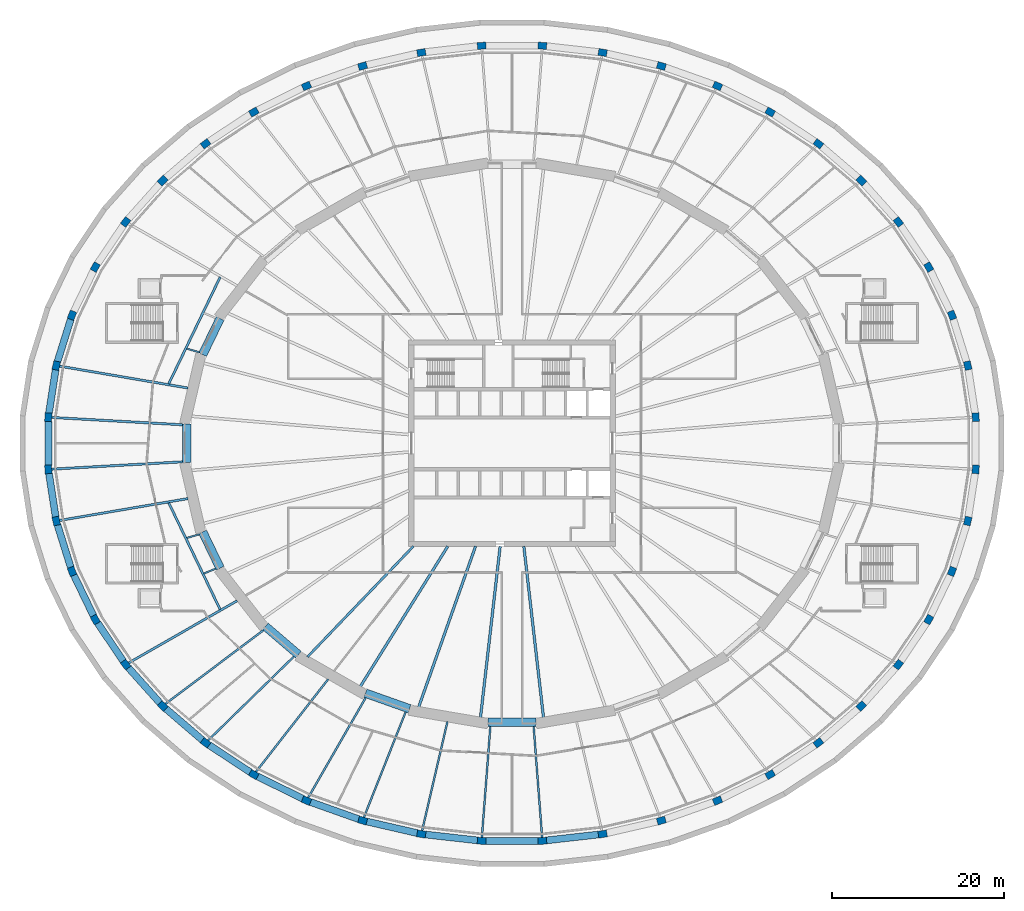
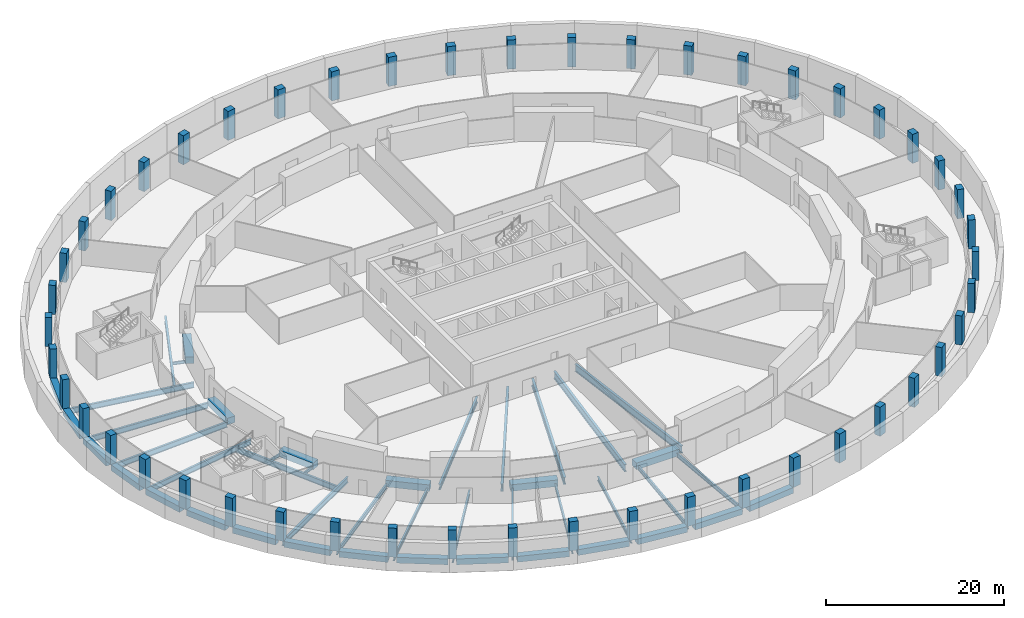
# One storey, part 1 of 14: 48 columns, 45 beams.
"""IFC4 building model written with IfcOpenShell, lengths in metres."""

from ifc_helpers import new_model, si_unit, direction, frame, origin, origin_2d, place, context, subcontext, project, spatial, rectangle, i_section, extrude, material, material_profile, profile_set, type_object, element, save


model = new_model("IFC4")

# Units and contexts
model_context = context("Model", 3, precision=1e-05, world=origin(), true_north=direction((0.0, 1.0)))
body_context = subcontext(model_context, "Body", "Model", "MODEL_VIEW")
ifc_project = project(units=[si_unit("LENGTHUNIT", "METRE"), si_unit("AREAUNIT", "SQUARE_METRE"), si_unit("VOLUMEUNIT", "CUBIC_METRE"), si_unit("PLANEANGLEUNIT", "RADIAN"), si_unit("MASSUNIT", "GRAM", prefix="KILO")], contexts=[model_context])

# Site, building, storey
site_placement = place(None, origin())
site = spatial("IfcSite", under=ifc_project, at=site_placement, CompositionType="ELEMENT")
building_placement = place(site_placement, origin())
building = spatial("IfcBuilding", under=site, at=building_placement, Name="Halqa Exchange Tower", CompositionType="ELEMENT")
storey_placement = place(building_placement, frame((0.0, 0.0, -4.0)))
storey = spatial("IfcBuildingStorey", under=building, at=storey_placement, Name="B1", CompositionType="ELEMENT", Elevation=-4.0)

# Columns
ifc_material_1 = material(Name="Concrete C60/75", Category="concrete")
ifc_material_profile_1 = material_profile(ifc_material_1, rectangle(XDim=1.0, YDim=0.800048828125, at=origin_2d()), Name="1000 x 800")
ifc_profile_set_1 = profile_set([ifc_material_profile_1], Name="Concrete C60/75")
column_type = type_object("IfcColumnType", Name="RC podium ring column 1000 x 800 C60/75", PredefinedType="COLUMN", material=ifc_profile_set_1)
for number, where, z_axis, x_axis, name in (
    (1, (53.884521484375, 3.0283203125, 0.0), (0.0, 0.0, 1.0), (-0.076223065836, 0.997090790367, 0.0), "Podium ring column 1"),
    (2, (52.96240234375, 9.03271484375, 0.0), (0.0, 0.0, 1.0), (-0.22599679145, 0.974128046129, 0.0), "Podium ring column 2"),
    (3, (51.13427734375, 14.882568359375, 0.0), (0.0, 0.0, 1.0), (-0.368109947744, 0.92978226826, 0.0), "Podium ring column 3"),
    (4, (48.43115234375, 20.47802734375, 0.0), (0.0, 0.0, 1.0), (-0.498569440634, 0.866849763723, 0.0), "Podium ring column 4"),
    (5, (44.8994140625, 25.722900390625, 0.0), (0.0, 0.0, 1.0), (-0.614691396063, 0.788767701929, 0.0), "Podium ring column 5"),
    (6, (40.599365234375, 30.527587890625, 0.0), (0.0, 0.0, 1.0), (-0.715039055588, 0.699084507755, 0.0), "Podium ring column 6"),
    (7, (35.604736328125, 34.810302734375, 0.0), (0.0, 0.0, 1.0), (-0.799260046694, 0.600985339055, 0.0), "Podium ring column 7"),
    (8, (30.000732421875, 38.4970703125, 0.0), (0.0, 0.0, 1.0), (-0.867693451459, 0.497099662336, 0.0), "Podium ring column 8"),
    (9, (23.883544921875, 41.525146484375, 0.0), (0.0, 0.0, 1.0), (-0.921048160137, 0.389448695861, 0.0), "Podium ring column 9"),
    (10, (17.357666015625, 43.843017578125, 0.0), (0.0, 0.0, 1.0), (-0.960157717988, 0.27945868494, 0.0), "Podium ring column 10"),
    (11, (10.534912109375, 45.410400390625, 0.0), (0.0, 0.0, 1.0), (-0.985766331194, 0.168121207122, 0.0), "Podium ring column 11"),
    (12, (3.53173828125, 46.200927734375, 0.0), (0.0, 0.0, 1.0), (-0.998424745269, 0.056107290394, 0.0), "Podium ring column 12"),
    (13, (-3.53173828125, 46.200927734375, 0.0), (0.0, 0.0, 1.0), (-0.998424745269, -0.056107290394, 0.0), "Podium ring column 13"),
    (14, (-10.534912109375, 45.410400390625, 0.0), (0.0, 0.0, 1.0), (-0.985766331194, -0.168121207122, 0.0), "Podium ring column 14"),
    (15, (-17.357666015625, 43.843017578125, 0.0), (0.0, 0.0, 1.0), (-0.960157717988, -0.27945868494, 0.0), "Podium ring column 15"),
    (16, (-23.883544921875, 41.525146484375, 0.0), (0.0, 0.0, 1.0), (-0.921048160137, -0.389448695861, 0.0), "Podium ring column 16"),
    (17, (-30.000732421875, 38.4970703125, 0.0), (0.0, 0.0, 1.0), (-0.867693451459, -0.497099662336, 0.0), "Podium ring column 17"),
    (18, (-35.604736328125, 34.810302734375, 0.0), (0.0, 0.0, 1.0), (-0.799260046694, -0.600985339055, 0.0), "Podium ring column 18"),
    (19, (-40.599365234375, 30.527587890625, 0.0), (0.0, 0.0, 1.0), (-0.715039055588, -0.699084507755, 0.0), "Podium ring column 19"),
    (20, (-44.8994140625, 25.722900390625, 0.0), (0.0, 0.0, 1.0), (-0.614691396063, -0.788767701929, 0.0), "Podium ring column 20"),
    (21, (-48.43115234375, 20.47802734375, 0.0), (0.0, 0.0, 1.0), (-0.498569440634, -0.866849763723, 0.0), "Podium ring column 21"),
    (22, (-51.13427734375, 14.882568359375, 0.0), (0.0, 0.0, 1.0), (-0.368109947744, -0.92978226826, 0.0), "Podium ring column 22"),
    (23, (-52.96240234375, 9.03271484375, 0.0), (0.0, 0.0, 1.0), (-0.22599679145, -0.974128046129, 0.0), "Podium ring column 23"),
    (24, (-53.884521484375, 3.0283203125, 0.0), (0.0, 0.0, 1.0), (-0.076223065836, -0.997090790367, 0.0), "Podium ring column 24"),
    (25, (-53.884521484375, -3.0283203125, 0.0), (0.0, 0.0, 1.0), (0.076223065836, -0.997090790367, 0.0), "Podium ring column 25"),
    (26, (-52.96240234375, -9.03271484375, 0.0), (0.0, 0.0, 1.0), (0.22599679145, -0.974128046129, 0.0), "Podium ring column 26"),
    (27, (-51.13427734375, -14.882568359375, 0.0), (0.0, 0.0, 1.0), (0.368109947744, -0.92978226826, 0.0), "Podium ring column 27"),
    (28, (-48.43115234375, -20.47802734375, 0.0), (0.0, 0.0, 1.0), (0.498569440634, -0.866849763723, 0.0), "Podium ring column 28"),
    (29, (-44.8994140625, -25.722900390625, 0.0), (0.0, 0.0, 1.0), (0.614691396063, -0.788767701929, 0.0), "Podium ring column 29"),
    (30, (-40.599365234375, -30.527587890625, 0.0), (0.0, 0.0, 1.0), (0.715039055588, -0.699084507755, 0.0), "Podium ring column 30"),
    (31, (-35.604736328125, -34.810302734375, 0.0), (0.0, 0.0, 1.0), (0.799260046694, -0.600985339055, 0.0), "Podium ring column 31"),
    (32, (-30.000732421875, -38.4970703125, 0.0), (0.0, 0.0, 1.0), (0.867693451459, -0.497099662336, 0.0), "Podium ring column 32"),
    (33, (-23.883544921875, -41.525146484375, 0.0), (0.0, 0.0, 1.0), (0.921048160137, -0.389448695861, 0.0), "Podium ring column 33"),
    (34, (-17.357666015625, -43.843017578125, 0.0), (0.0, 0.0, 1.0), (0.960157717988, -0.27945868494, 0.0), "Podium ring column 34"),
    (35, (-10.534912109375, -45.410400390625, 0.0), (0.0, 0.0, 1.0), (0.985766331194, -0.168121207122, 0.0), "Podium ring column 35"),
    (36, (-3.53173828125, -46.200927734375, 0.0), (0.0, 0.0, 1.0), (0.998424745269, -0.056107290394, 0.0), "Podium ring column 36"),
    (37, (3.53173828125, -46.200927734375, 0.0), (0.0, 0.0, 1.0), (0.998424745269, 0.056107290394, 0.0), "Podium ring column 37"),
    (38, (10.534912109375, -45.410400390625, 0.0), (0.0, 0.0, 1.0), (0.985766331194, 0.168121207122, 0.0), "Podium ring column 38"),
    (39, (17.357666015625, -43.843017578125, 0.0), (0.0, 0.0, 1.0), (0.960157717988, 0.27945868494, 0.0), "Podium ring column 39"),
    (40, (23.883544921875, -41.525146484375, 0.0), (0.0, 0.0, 1.0), (0.921048160137, 0.389448695861, 0.0), "Podium ring column 40"),
    (41, (30.000732421875, -38.4970703125, 0.0), (0.0, 0.0, 1.0), (0.867693451459, 0.497099662336, 0.0), "Podium ring column 41"),
    (42, (35.604736328125, -34.810302734375, 0.0), (0.0, 0.0, 1.0), (0.799260046694, 0.600985339055, 0.0), "Podium ring column 42"),
    (43, (40.599365234375, -30.527587890625, 0.0), (0.0, 0.0, 1.0), (0.715039055588, 0.699084507755, 0.0), "Podium ring column 43"),
    (44, (44.8994140625, -25.722900390625, 0.0), (0.0, 0.0, 1.0), (0.614691396063, 0.788767701929, 0.0), "Podium ring column 44"),
    (45, (48.43115234375, -20.47802734375, 0.0), (0.0, 0.0, 1.0), (0.498569440634, 0.866849763723, 0.0), "Podium ring column 45"),
    (46, (51.13427734375, -14.882568359375, 0.0), (0.0, 0.0, 1.0), (0.368109947744, 0.92978226826, 0.0), "Podium ring column 46"),
    (47, (52.96240234375, -9.03271484375, 0.0), (0.0, 0.0, 1.0), (0.22599679145, 0.974128046129, 0.0), "Podium ring column 47"),
    (48, (53.884521484375, -3.0283203125, 0.0), (0.0, 0.0, 1.0), (0.076223065836, 0.997090790367, 0.0), "Podium ring column 48"),
):
    element("IfcColumn", number, at=place(storey_placement, frame(where, z_axis=z_axis, x_axis=x_axis)), inside=storey, type_object=column_type, Name=name, PredefinedType="COLUMN", context=body_context, shape_type="SweptSolid", body=[
        extrude(rectangle(XDim=1.0, YDim=0.800048828125, at=origin_2d()), origin(), (0.0, 0.0, 1.0), 4.0),
    ])

# Beams
ifc_material_2 = material(Name="Steel S355", Category="steel")
ifc_material_profile_2 = material_profile(ifc_material_2, i_section(OverallWidth=0.300048828125, OverallDepth=0.989990234375, WebThickness=0.0166015625, FlangeThickness=0.031005859375, FilletRadius=0.030029296875, at=origin_2d()), Name="HEA 1000")
ifc_profile_set_2 = profile_set([ifc_material_profile_2], Name="Steel S355")
beam_type_1 = type_object("IfcBeamType", Name="Floor beam HEA 1000", PredefinedType="BEAM", material=ifc_profile_set_2)
beam_1_placement = place(storey_placement, frame((-7.46533203125, -11.971435546875, -0.945068359375), z_axis=(-0.529145823441, -0.848530905468, 0.0), x_axis=(0.848530905468, -0.529145823441, 0.0)))
element("IfcBeam", 49, at=beam_1_placement, inside=storey, type_object=beam_type_1, Name="Radial beam 22", PredefinedType="BEAM", context=body_context, shape_type="SweptSolid", body=[
    extrude(i_section(OverallWidth=0.300048828125, OverallDepth=0.989990234375, WebThickness=0.0166015625, FlangeThickness=0.031005859375, FilletRadius=0.030029296875, at=origin_2d()), origin(), (0.0, 0.0, 1.0), 19.27294921875),
])
ifc_material_profile_3 = material_profile(ifc_material_2, i_section(OverallWidth=0.300048828125, OverallDepth=1.0, WebThickness=0.01904296875, FlangeThickness=0.035888671875, FilletRadius=0.030029296875, at=origin_2d()), Name="HEB 1000")
ifc_profile_set_3 = profile_set([ifc_material_profile_3], Name="Steel S355")
beam_type_2 = type_object("IfcBeamType", Name="Floor beam HEB 1000", PredefinedType="BEAM", material=ifc_profile_set_3)
beam_2_placement = place(storey_placement, frame((-4.23681640625, -11.971923828125, -0.949951171875), z_axis=(-0.333633039334, -0.942703025913, 0.0), x_axis=(0.942703025913, -0.333633039334, 0.0)))
element("IfcBeam", 50, at=beam_2_placement, inside=storey, type_object=beam_type_2, Name="Radial beam 23", PredefinedType="BEAM", context=body_context, shape_type="SweptSolid", body=[
    extrude(i_section(OverallWidth=0.300048828125, OverallDepth=1.0, WebThickness=0.01904296875, FlangeThickness=0.035888671875, FilletRadius=0.030029296875, at=origin_2d()), origin(), (0.0, 0.0, 1.0), 19.885009765625),
])
for number, where, z_axis, x_axis, name in (
    (51, (-1.375732421875, -11.972900390625, -0.949951171875), (-0.114166838833, -0.99346159106, 0.0), (0.99346159106, -0.114166838833, 0.0), "Radial beam 24"),
    (52, (1.375732421875, -11.972900390625, -0.949951171875), (0.114166838833, -0.99346159106, 0.0), (0.99346159106, 0.114166838833, 0.0), "Radial beam 25"),
):
    element("IfcBeam", number, at=place(storey_placement, frame(where, z_axis=z_axis, x_axis=x_axis)), inside=storey, type_object=beam_type_2, Name=name, PredefinedType="BEAM", context=body_context, shape_type="SweptSolid", body=[
        extrude(i_section(OverallWidth=0.300048828125, OverallDepth=1.0, WebThickness=0.01904296875, FlangeThickness=0.035888671875, FilletRadius=0.030029296875, at=origin_2d()), origin(), (0.0, 0.0, 1.0), 20.103515625),
    ])
ifc_material_profile_4 = material_profile(ifc_material_2, i_section(OverallWidth=0.179931640625, OverallDepth=0.39990234375, WebThickness=0.008544921875, FlangeThickness=0.013427734375, FilletRadius=0.02099609375, at=origin_2d()), Name="IPE 400")
ifc_profile_set_4 = profile_set([ifc_material_profile_4], Name="Steel S355")
beam_type_3 = type_object("IfcBeamType", Name="Floor beam IPE 400", PredefinedType="BEAM", material=ifc_profile_set_4)
for number, where, z_axis, x_axis, name in (
    (53, (-36.34521484375, 10.578369140625, -0.64990234375), (-0.960174163417, 0.279402175917, 0.0), (-0.279402175917, -0.960174163417, 0.0), "Radial beam 22a"),
    (54, (-36.34521484375, -10.578369140625, -0.64990234375), (-0.960174163417, -0.279402175917, 0.0), (0.279402175917, -0.960174163417, 0.0), "Radial beam 27a"),
):
    element("IfcBeam", number, at=place(storey_placement, frame(where, z_axis=z_axis, x_axis=x_axis)), inside=storey, type_object=beam_type_3, Name=name, PredefinedType="BEAM", context=body_context, shape_type="SweptSolid", body=[
        extrude(i_section(OverallWidth=0.179931640625, OverallDepth=0.39990234375, WebThickness=0.008544921875, FlangeThickness=0.013427734375, FilletRadius=0.02099609375, at=origin_2d()), origin(), (0.0, 0.0, 1.0), 1.521240234375),
    ])
beam_3_placement = place(storey_placement, frame((-34.423583984375, -14.555419921875, -0.64990234375), z_axis=(-0.921076708702, -0.389381171459, 0.0), x_axis=(0.389381171459, -0.921076708702, 0.0)))
element("IfcBeam", 55, at=beam_3_placement, inside=storey, type_object=beam_type_3, Name="Radial beam 28a", PredefinedType="BEAM", context=body_context, shape_type="SweptSolid", body=[
    extrude(i_section(OverallWidth=0.179931640625, OverallDepth=0.39990234375, WebThickness=0.008544921875, FlangeThickness=0.013427734375, FilletRadius=0.02099609375, at=origin_2d()), origin(), (0.0, 0.0, 1.0), 1.5078125),
])
ifc_material_profile_5 = material_profile(ifc_material_2, i_section(OverallWidth=0.2099609375, OverallDepth=0.550048828125, WebThickness=0.010986328125, FlangeThickness=0.01708984375, FilletRadius=0.02392578125, at=origin_2d()), Name="IPE 550")
ifc_profile_set_5 = profile_set([ifc_material_profile_5], Name="Steel S355")
beam_type_4 = type_object("IfcBeamType", Name="Floor beam IPE 550", PredefinedType="BEAM", material=ifc_profile_set_5)
beam_4_placement = place(storey_placement, frame((-12.352294921875, -31.2001953125, -0.72509765625), z_axis=(-0.368106640822, -0.929783577497, 0.0), x_axis=(0.929783577497, -0.368106640822, 0.0)))
element("IfcBeam", 56, at=beam_4_placement, inside=storey, type_object=beam_type_4, Name="Radial beam 34", PredefinedType="BEAM", context=body_context, shape_type="SweptSolid", body=[
    extrude(i_section(OverallWidth=0.2099609375, OverallDepth=0.550048828125, WebThickness=0.010986328125, FlangeThickness=0.01708984375, FilletRadius=0.02392578125, at=origin_2d()), origin(), (0.0, 0.0, 1.0), 13.22412109375),
])
beam_5_placement = place(storey_placement, frame((-7.5048828125, -32.35009765625, -0.72509765625), z_axis=(-0.2259960959, -0.974128207495, 0.0), x_axis=(0.974128207495, -0.2259960959, 0.0)))
element("IfcBeam", 57, at=beam_5_placement, inside=storey, type_object=beam_type_4, Name="Radial beam 35", PredefinedType="BEAM", context=body_context, shape_type="SweptSolid", body=[
    extrude(i_section(OverallWidth=0.2099609375, OverallDepth=0.550048828125, WebThickness=0.010986328125, FlangeThickness=0.01708984375, FilletRadius=0.02392578125, at=origin_2d()), origin(), (0.0, 0.0, 1.0), 13.03466796875),
])
for number, where, z_axis, x_axis, name in (
    (58, (-2.513916015625, -32.88623046875, -0.72509765625), (-0.076223337155, -0.997090769626, 0.0), (0.997090769626, -0.076223337155, 0.0), "Radial beam 36"),
    (59, (2.513916015625, -32.88623046875, -0.72509765625), (0.076223337155, -0.997090769626, 0.0), (0.997090769626, 0.076223337155, 0.0), "Radial beam 37"),
):
    element("IfcBeam", number, at=place(storey_placement, frame(where, z_axis=z_axis, x_axis=x_axis)), inside=storey, type_object=beam_type_4, Name=name, PredefinedType="BEAM", context=body_context, shape_type="SweptSolid", body=[
        extrude(i_section(OverallWidth=0.2099609375, OverallDepth=0.550048828125, WebThickness=0.010986328125, FlangeThickness=0.01708984375, FilletRadius=0.02392578125, at=origin_2d()), origin(), (0.0, 0.0, 1.0), 12.981689453125),
    ])
ifc_material_profile_6 = material_profile(ifc_material_2, i_section(OverallWidth=0.219970703125, OverallDepth=0.60009765625, WebThickness=0.011962890625, FlangeThickness=0.01904296875, FilletRadius=0.02392578125, at=origin_2d()), Name="IPE 600")
ifc_profile_set_6 = profile_set([ifc_material_profile_6], Name="Steel S355")
beam_type_5 = type_object("IfcBeamType", Name="Floor beam IPE 600", PredefinedType="BEAM", material=ifc_profile_set_6)
beam_6_placement = place(storey_placement, frame((-28.875732421875, -21.71240234375, -0.75), z_axis=(-0.799257291391, -0.600989003359, 0.0), x_axis=(0.600989003359, -0.799257291391, 0.0)))
element("IfcBeam", 60, at=beam_6_placement, inside=storey, type_object=beam_type_5, Name="Radial beam 30", PredefinedType="BEAM", context=body_context, shape_type="SweptSolid", body=[
    extrude(i_section(OverallWidth=0.219970703125, OverallDepth=0.60009765625, WebThickness=0.011962890625, FlangeThickness=0.01904296875, FilletRadius=0.02392578125, at=origin_2d()), origin(), (0.0, 0.0, 1.0), 14.291259765625),
])
beam_7_placement = place(storey_placement, frame((-25.322265625, -24.757080078125, -0.75), z_axis=(-0.715038042334, -0.699085544133, 0.0), x_axis=(0.699085544133, -0.715038042334, 0.0)))
element("IfcBeam", 61, at=beam_7_placement, inside=storey, type_object=beam_type_5, Name="Radial beam 31", PredefinedType="BEAM", context=body_context, shape_type="SweptSolid", body=[
    extrude(i_section(OverallWidth=0.219970703125, OverallDepth=0.60009765625, WebThickness=0.011962890625, FlangeThickness=0.01904296875, FilletRadius=0.02392578125, at=origin_2d()), origin(), (0.0, 0.0, 1.0), 14.00341796875),
])
beam_8_placement = place(storey_placement, frame((-21.3603515625, -27.40966796875, -0.75), z_axis=(-0.614701342153, -0.78875995078, 0.0), x_axis=(0.78875995078, -0.614701342153, 0.0)))
element("IfcBeam", 62, at=beam_8_placement, inside=storey, type_object=beam_type_5, Name="Radial beam 32", PredefinedType="BEAM", context=body_context, shape_type="SweptSolid", body=[
    extrude(i_section(OverallWidth=0.219970703125, OverallDepth=0.60009765625, WebThickness=0.011962890625, FlangeThickness=0.01904296875, FilletRadius=0.02392578125, at=origin_2d()), origin(), (0.0, 0.0, 1.0), 13.681396484375),
])
beam_9_placement = place(storey_placement, frame((-16.996826171875, -29.551513671875, -0.75), z_axis=(-0.498570786865, -0.866848989435, 0.0), x_axis=(0.866848989435, -0.498570786865, 0.0)))
element("IfcBeam", 63, at=beam_9_placement, inside=storey, type_object=beam_type_5, Name="Radial beam 33", PredefinedType="BEAM", context=body_context, shape_type="SweptSolid", body=[
    extrude(i_section(OverallWidth=0.219970703125, OverallDepth=0.60009765625, WebThickness=0.011962890625, FlangeThickness=0.01904296875, FilletRadius=0.02392578125, at=origin_2d()), origin(), (0.0, 0.0, 1.0), 13.438720703125),
])
ifc_material_profile_7 = material_profile(ifc_material_2, i_section(OverallWidth=0.264892578125, OverallDepth=0.7529296875, WebThickness=0.01318359375, FlangeThickness=0.01708984375, FilletRadius=0.01708984375, at=origin_2d()), Name="IPE 750x147")
ifc_profile_set_7 = profile_set([ifc_material_profile_7], Name="Steel S355")
beam_type_6 = type_object("IfcBeamType", Name="Floor beam IPE 750x147", PredefinedType="BEAM", material=ifc_profile_set_7)
beam_10_placement = place(storey_placement, frame((-37.654296875, 6.421875, -0.826416015625), z_axis=(-0.985764762639, 0.168130403968, 0.0), x_axis=(-0.168130403968, -0.985764762639, 0.0)))
element("IfcBeam", 64, at=beam_10_placement, inside=storey, type_object=beam_type_6, Name="Radial beam 23", PredefinedType="BEAM", context=body_context, shape_type="SweptSolid", body=[
    extrude(i_section(OverallWidth=0.264892578125, OverallDepth=0.7529296875, WebThickness=0.01318359375, FlangeThickness=0.01708984375, FilletRadius=0.01708984375, at=origin_2d()), origin(), (0.0, 0.0, 1.0), 15.156982421875),
])
for number, where, z_axis, x_axis, name in (
    (65, (-38.2880859375, 2.151611328125, -0.826416015625), (-0.998424130563, 0.056118227964, 0.0), (-0.056118227964, -0.998424130563, 0.0), "Radial beam 24"),
    (66, (-38.2880859375, -2.151611328125, -0.826416015625), (-0.998424130563, -0.056118227964, 0.0), (0.056118227964, -0.998424130563, 0.0), "Radial beam 25"),
):
    element("IfcBeam", number, at=place(storey_placement, frame(where, z_axis=z_axis, x_axis=x_axis)), inside=storey, type_object=beam_type_6, Name=name, PredefinedType="BEAM", context=body_context, shape_type="SweptSolid", body=[
        extrude(i_section(OverallWidth=0.264892578125, OverallDepth=0.7529296875, WebThickness=0.01318359375, FlangeThickness=0.01708984375, FilletRadius=0.01708984375, at=origin_2d()), origin(), (0.0, 0.0, 1.0), 15.248291015625),
    ])
beam_11_placement = place(storey_placement, frame((-37.654296875, -6.421875, -0.826416015625), z_axis=(-0.985764762639, -0.168130403968, 0.0), x_axis=(0.168130403968, -0.985764762639, 0.0)))
element("IfcBeam", 67, at=beam_11_placement, inside=storey, type_object=beam_type_6, Name="Radial beam 26", PredefinedType="BEAM", context=body_context, shape_type="SweptSolid", body=[
    extrude(i_section(OverallWidth=0.264892578125, OverallDepth=0.7529296875, WebThickness=0.01318359375, FlangeThickness=0.01708984375, FilletRadius=0.01708984375, at=origin_2d()), origin(), (0.0, 0.0, 1.0), 15.156982421875),
])
beam_12_placement = place(storey_placement, frame((-31.942626953125, -18.300048828125, -0.826416015625), z_axis=(-0.867691436398, -0.497103179633, 0.0), x_axis=(0.497103179633, -0.867691436398, 0.0)))
element("IfcBeam", 68, at=beam_12_placement, inside=storey, type_object=beam_type_6, Name="Radial beam 29", PredefinedType="BEAM", context=body_context, shape_type="SweptSolid", body=[
    extrude(i_section(OverallWidth=0.264892578125, OverallDepth=0.7529296875, WebThickness=0.01318359375, FlangeThickness=0.01708984375, FilletRadius=0.01708984375, at=origin_2d()), origin(), (0.0, 0.0, 1.0), 14.555908203125),
])
for number, where, z_axis, x_axis, name in (
    (69, (-33.92041015625, 19.3134765625, -0.826416015625), (-0.433856142987, -0.900982156978, 0.0), (0.900982156978, -0.433856142987, 0.0), "Radial beam TSS3-in"),
    (70, (-39.89306640625, -6.91015625, -0.826416015625), (0.433856142987, -0.900982156978, 0.0), (0.900982156978, 0.433856142987, 0.0), "Radial beam TSS4-in"),
):
    element("IfcBeam", number, at=place(storey_placement, frame(where, z_axis=z_axis, x_axis=x_axis)), inside=storey, type_object=beam_type_6, Name=name, PredefinedType="BEAM", context=body_context, shape_type="SweptSolid", body=[
        extrude(i_section(OverallWidth=0.264892578125, OverallDepth=0.7529296875, WebThickness=0.01318359375, FlangeThickness=0.01708984375, FilletRadius=0.01708984375, at=origin_2d()), origin(), (0.0, 0.0, 1.0), 13.766357421875),
    ])
ifc_material_profile_8 = material_profile(ifc_material_2, i_section(OverallWidth=0.26806640625, OverallDepth=0.77001953125, WebThickness=0.015625, FlangeThickness=0.025390625, FilletRadius=0.01708984375, at=origin_2d()), Name="IPE 750x196")
ifc_profile_set_8 = profile_set([ifc_material_profile_8], Name="Steel S355")
beam_type_7 = type_object("IfcBeamType", Name="Floor beam IPE 750x196", PredefinedType="BEAM", material=ifc_profile_set_8)
beam_13_placement = place(storey_placement, frame((-11.46240234375, -11.9716796875, -0.8349609375), z_axis=(-0.6915763718, -0.722303344841, 0.0), x_axis=(0.722303344841, -0.6915763718, 0.0)))
element("IfcBeam", 71, at=beam_13_placement, inside=storey, type_object=beam_type_7, Name="Radial beam 21", PredefinedType="BEAM", context=body_context, shape_type="SweptSolid", body=[
    extrude(i_section(OverallWidth=0.26806640625, OverallDepth=0.77001953125, WebThickness=0.015625, FlangeThickness=0.025390625, FilletRadius=0.01708984375, at=origin_2d()), origin(), (0.0, 0.0, 1.0), 17.7978515625),
])
ifc_material_profile_9 = material_profile(ifc_material_1, rectangle(XDim=0.800048828125, YDim=0.800048828125, at=origin_2d()), Name="800 x 800")
ifc_profile_set_9 = profile_set([ifc_material_profile_9], Name="Concrete C60/75")
beam_type_8 = type_object("IfcBeamType", Name="RC podium edge beam 800 x 800 C60/75", PredefinedType="SPANDREL", material=ifc_profile_set_9)
beam_14_placement = place(storey_placement, frame((-51.275390625, 14.430419921875, -0.39990234375), z_axis=(-0.298331338153, -0.954462368392, 0.0), x_axis=(0.954462368392, -0.298331338153, 0.0)))
element("IfcBeam", 72, at=beam_14_placement, inside=storey, type_object=beam_type_8, Name="Podium edge beam 22", PredefinedType="SPANDREL", context=body_context, shape_type="SweptSolid", body=[
    extrude(rectangle(XDim=0.800048828125, YDim=0.800048828125, at=origin_2d()), origin(), (0.0, 0.0, 1.0), 5.180908203125),
])
beam_15_placement = place(storey_placement, frame((-53.0341796875, 8.56591796875, -0.39990234375), z_axis=(-0.151767505705, -0.988416220128, 0.0), x_axis=(0.988416220128, -0.151767505705, 0.0)))
element("IfcBeam", 73, at=beam_15_placement, inside=storey, type_object=beam_type_8, Name="Podium edge beam 23", PredefinedType="SPANDREL", context=body_context, shape_type="SweptSolid", body=[
    extrude(rectangle(XDim=0.800048828125, YDim=0.800048828125, at=origin_2d()), origin(), (0.0, 0.0, 1.0), 5.1298828125),
])
beam_16_placement = place(storey_placement, frame((-53.884521484375, 2.5556640625, -0.39990234375), z_axis=(0.0, -1.0, 0.0), x_axis=(1.0, 0.0, 0.0)))
element("IfcBeam", 74, at=beam_16_placement, inside=storey, type_object=beam_type_8, Name="Podium edge beam 24", PredefinedType="SPANDREL", context=body_context, shape_type="SweptSolid", body=[
    extrude(rectangle(XDim=0.800048828125, YDim=0.800048828125, at=origin_2d()), origin(), (0.0, 0.0, 1.0), 5.111328125),
])
beam_17_placement = place(storey_placement, frame((-53.812744140625, -3.495361328125, -0.39990234375), z_axis=(0.151767505705, -0.988416220128, 0.0), x_axis=(0.988416220128, 0.151767505705, 0.0)))
element("IfcBeam", 75, at=beam_17_placement, inside=storey, type_object=beam_type_8, Name="Podium edge beam 25", PredefinedType="SPANDREL", context=body_context, shape_type="SweptSolid", body=[
    extrude(rectangle(XDim=0.800048828125, YDim=0.800048828125, at=origin_2d()), origin(), (0.0, 0.0, 1.0), 5.1298828125),
])
beam_18_placement = place(storey_placement, frame((-52.821044921875, -9.4853515625, -0.39990234375), z_axis=(0.298331338153, -0.954462368392, 0.0), x_axis=(0.954462368392, 0.298331338153, 0.0)))
element("IfcBeam", 76, at=beam_18_placement, inside=storey, type_object=beam_type_8, Name="Podium edge beam 26", PredefinedType="SPANDREL", context=body_context, shape_type="SweptSolid", body=[
    extrude(rectangle(XDim=0.800048828125, YDim=0.800048828125, at=origin_2d()), origin(), (0.0, 0.0, 1.0), 5.180908203125),
])
beam_19_placement = place(storey_placement, frame((-50.92822265625, -15.308837890625, -0.39990234375), z_axis=(0.43497328232, -0.9004433595, 0.0), x_axis=(0.9004433595, 0.43497328232, 0.0)))
element("IfcBeam", 77, at=beam_19_placement, inside=storey, type_object=beam_type_8, Name="Podium edge beam 27", PredefinedType="SPANDREL", context=body_context, shape_type="SweptSolid", body=[
    extrude(rectangle(XDim=0.800048828125, YDim=0.800048828125, at=origin_2d()), origin(), (0.0, 0.0, 1.0), 5.267578125),
])
beam_20_placement = place(storey_placement, frame((-48.1669921875, -20.8701171875, -0.39990234375), z_axis=(0.558528358221, -0.829485426673, 0.0), x_axis=(0.829485426673, 0.558528358221, 0.0)))
element("IfcBeam", 78, at=beam_20_placement, inside=storey, type_object=beam_type_8, Name="Podium edge beam 28", PredefinedType="SPANDREL", context=body_context, shape_type="SweptSolid", body=[
    extrude(rectangle(XDim=0.800048828125, YDim=0.800048828125, at=origin_2d()), origin(), (0.0, 0.0, 1.0), 5.378173828125),
])
beam_21_placement = place(storey_placement, frame((-44.58349609375, -26.075927734375, -0.39990234375), z_axis=(0.666902525907, -0.745144966392, 0.0), x_axis=(0.745144966392, 0.666902525907, 0.0)))
element("IfcBeam", 79, at=beam_21_placement, inside=storey, type_object=beam_type_8, Name="Podium edge beam 29", PredefinedType="SPANDREL", context=body_context, shape_type="SweptSolid", body=[
    extrude(rectangle(XDim=0.800048828125, YDim=0.800048828125, at=origin_2d()), origin(), (0.0, 0.0, 1.0), 5.501220703125),
])
beam_22_placement = place(storey_placement, frame((-40.240478515625, -30.83544921875, -0.39990234375), z_axis=(0.759174010844, -0.650887717859, 0.0), x_axis=(0.650887717859, 0.759174010844, 0.0)))
element("IfcBeam", 80, at=beam_22_placement, inside=storey, type_object=beam_type_8, Name="Podium edge beam 30", PredefinedType="SPANDREL", context=body_context, shape_type="SweptSolid", body=[
    extrude(rectangle(XDim=0.800048828125, YDim=0.800048828125, at=origin_2d()), origin(), (0.0, 0.0, 1.0), 5.63427734375),
])
beam_23_placement = place(storey_placement, frame((-35.208984375, -35.070556640625, -0.39990234375), z_axis=(0.835418618456, -0.549614166426, 0.0), x_axis=(0.549614166426, 0.835418618456, 0.0)))
element("IfcBeam", 81, at=beam_23_placement, inside=storey, type_object=beam_type_8, Name="Podium edge beam 31", PredefinedType="SPANDREL", context=body_context, shape_type="SweptSolid", body=[
    extrude(rectangle(XDim=0.800048828125, YDim=0.800048828125, at=origin_2d()), origin(), (0.0, 0.0, 1.0), 5.760986328125),
])
beam_24_placement = place(storey_placement, frame((-29.576904296875, -38.706787109375, -0.39990234375), z_axis=(0.896205416004, -0.443639326847, 0.0), x_axis=(0.443639326847, 0.896205416004, 0.0)))
element("IfcBeam", 82, at=beam_24_placement, inside=storey, type_object=beam_type_8, Name="Podium edge beam 32", PredefinedType="SPANDREL", context=body_context, shape_type="SweptSolid", body=[
    extrude(rectangle(XDim=0.800048828125, YDim=0.800048828125, at=origin_2d()), origin(), (0.0, 0.0, 1.0), 5.880126953125),
])
beam_25_placement = place(storey_placement, frame((-23.4384765625, -41.683349609375, -0.39990234375), z_axis=(0.942343471221, -0.334647250469, 0.0), x_axis=(0.334647250469, 0.942343471221, 0.0)))
element("IfcBeam", 83, at=beam_25_placement, inside=storey, type_object=beam_type_8, Name="Podium edge beam 33", PredefinedType="SPANDREL", context=body_context, shape_type="SweptSolid", body=[
    extrude(rectangle(XDim=0.800048828125, YDim=0.800048828125, at=origin_2d()), origin(), (0.0, 0.0, 1.0), 5.980712890625),
])
beam_26_placement = place(storey_placement, frame((-16.89794921875, -43.948486328125, -0.39990234375), z_axis=(0.974604133477, -0.223934774008, 0.0), x_axis=(0.223934774008, 0.974604133477, 0.0)))
element("IfcBeam", 84, at=beam_26_placement, inside=storey, type_object=beam_type_8, Name="Podium edge beam 34", PredefinedType="SPANDREL", context=body_context, shape_type="SweptSolid", body=[
    extrude(rectangle(XDim=0.800048828125, YDim=0.800048828125, at=origin_2d()), origin(), (0.0, 0.0, 1.0), 6.05517578125),
])
beam_27_placement = place(storey_placement, frame((-10.064453125, -45.46337890625, -0.39990234375), z_axis=(0.993688954696, -0.112170679393, 0.0), x_axis=(0.112170679393, 0.993688954696, 0.0)))
element("IfcBeam", 85, at=beam_27_placement, inside=storey, type_object=beam_type_8, Name="Podium edge beam 35", PredefinedType="SPANDREL", context=body_context, shape_type="SweptSolid", body=[
    extrude(rectangle(XDim=0.800048828125, YDim=0.800048828125, at=origin_2d()), origin(), (0.0, 0.0, 1.0), 6.100830078125),
])
beam_28_placement = place(storey_placement, frame((-3.05859375, -46.200927734375, -0.39990234375), z_axis=(1.0, 0.0, 0.0), x_axis=(0.0, 1.0, 0.0)))
element("IfcBeam", 86, at=beam_28_placement, inside=storey, type_object=beam_type_8, Name="Podium edge beam 36", PredefinedType="SPANDREL", context=body_context, shape_type="SweptSolid", body=[
    extrude(rectangle(XDim=0.800048828125, YDim=0.800048828125, at=origin_2d()), origin(), (0.0, 0.0, 1.0), 6.1171875),
])
beam_29_placement = place(storey_placement, frame((4.002197265625, -46.147705078125, -0.39990234375), z_axis=(0.993688954696, 0.112170679393, 0.0), x_axis=(-0.112170679393, 0.993688954696, 0.0)))
element("IfcBeam", 87, at=beam_29_placement, inside=storey, type_object=beam_type_8, Name="Podium edge beam 37", PredefinedType="SPANDREL", context=body_context, shape_type="SweptSolid", body=[
    extrude(rectangle(XDim=0.800048828125, YDim=0.800048828125, at=origin_2d()), origin(), (0.0, 0.0, 1.0), 6.100830078125),
])
ifc_material_profile_10 = material_profile(ifc_material_1, rectangle(XDim=1.0, YDim=0.89990234375, at=origin_2d()), Name="1000 x 900")
ifc_profile_set_10 = profile_set([ifc_material_profile_10], Name="Concrete C60/75")
beam_type_9 = type_object("IfcBeamType", Name="RC spandrel beam 1000 x 900 C60/75", PredefinedType="SPANDREL", material=ifc_profile_set_10)
beam_30_placement = place(storey_placement, frame((-33.923095703125, 14.505615234375, -0.449951171875), z_axis=(-0.435068215878, -0.900397494184, 0.0), x_axis=(0.900397494184, -0.435068215878, 0.0)))
element("IfcBeam", 88, at=beam_30_placement, inside=storey, type_object=beam_type_9, Name="Spandrel 14", PredefinedType="SPANDREL", context=body_context, shape_type="SweptSolid", body=[
    extrude(rectangle(XDim=1.0, YDim=0.89990234375, at=origin_2d()), origin(), (0.0, 0.0, 1.0), 4.6630859375),
])
beam_31_placement = place(storey_placement, frame((-37.81689453125, 2.24609375, -0.449951171875), z_axis=(0.0, -1.0, 0.0), x_axis=(1.0, 0.0, 0.0)))
element("IfcBeam", 89, at=beam_31_placement, inside=storey, type_object=beam_type_9, Name="Spandrel 16", PredefinedType="SPANDREL", context=body_context, shape_type="SweptSolid", body=[
    extrude(rectangle(XDim=1.0, YDim=0.89990234375, at=origin_2d()), origin(), (0.0, 0.0, 1.0), 4.4921875),
])
beam_32_placement = place(storey_placement, frame((-35.951904296875, -10.306884765625, -0.449951171875), z_axis=(0.435068215878, -0.900397494184, 0.0), x_axis=(0.900397494184, 0.435068215878, 0.0)))
element("IfcBeam", 90, at=beam_32_placement, inside=storey, type_object=beam_type_9, Name="Spandrel 18", PredefinedType="SPANDREL", context=body_context, shape_type="SweptSolid", body=[
    extrude(rectangle(XDim=1.0, YDim=0.89990234375, at=origin_2d()), origin(), (0.0, 0.0, 1.0), 4.6630859375),
])
beam_33_placement = place(storey_placement, frame((-28.659423828125, -21.27587890625, -0.449951171875), z_axis=(0.759263417999, -0.650783421799, 0.0), x_axis=(0.650783421799, 0.759263417999, 0.0)))
element("IfcBeam", 91, at=beam_33_placement, inside=storey, type_object=beam_type_9, Name="Spandrel 20", PredefinedType="SPANDREL", context=body_context, shape_type="SweptSolid", body=[
    extrude(rectangle(XDim=1.0, YDim=0.89990234375, at=origin_2d()), origin(), (0.0, 0.0, 1.0), 5.056884765625),
])
beam_34_placement = place(storey_placement, frame((-17.030029296875, -29.038818359375, -0.449951171875), z_axis=(0.942357788657, -0.334606930826, 0.0), x_axis=(0.334606930826, 0.942357788657, 0.0)))
element("IfcBeam", 92, at=beam_34_placement, inside=storey, type_object=beam_type_9, Name="Spandrel 22", PredefinedType="SPANDREL", context=body_context, shape_type="SweptSolid", body=[
    extrude(rectangle(XDim=1.0, YDim=0.89990234375, at=origin_2d()), origin(), (0.0, 0.0, 1.0), 5.429931640625),
])
beam_35_placement = place(storey_placement, frame((-2.789794921875, -32.41455078125, -0.449951171875), z_axis=(1.0, 0.0, 0.0), x_axis=(0.0, 1.0, 0.0)))
element("IfcBeam", 93, at=beam_35_placement, inside=storey, type_object=beam_type_9, Name="Spandrel 24", PredefinedType="SPANDREL", context=body_context, shape_type="SweptSolid", body=[
    extrude(rectangle(XDim=1.0, YDim=0.89990234375, at=origin_2d()), origin(), (0.0, 0.0, 1.0), 5.57958984375),
])

save(model, "model.ifc")
